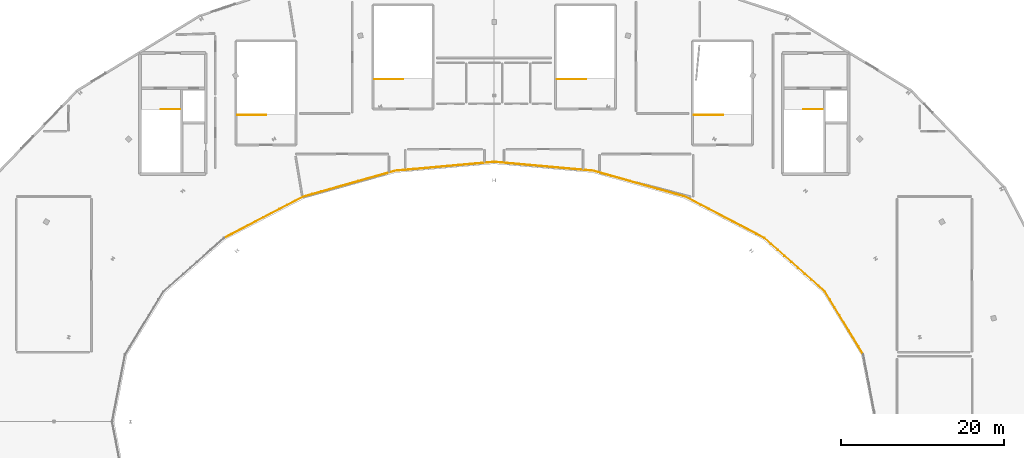
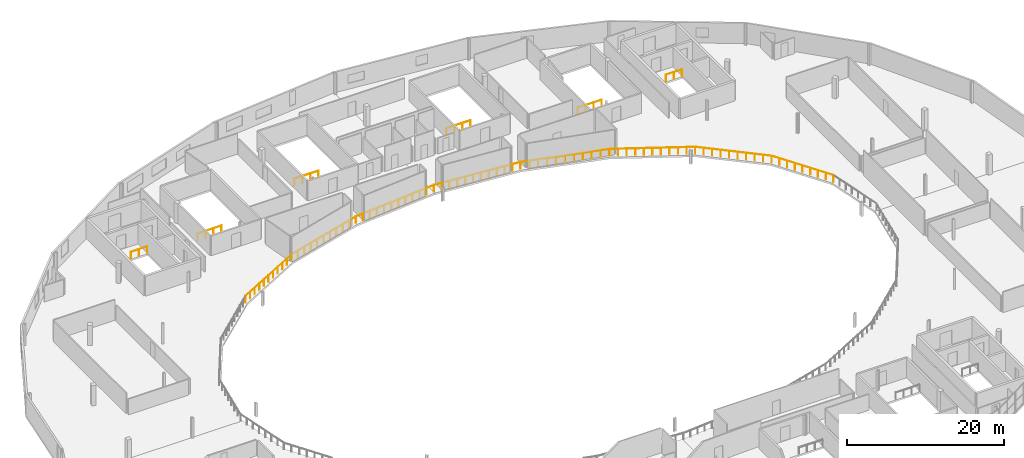
# One storey, part 35 of 35: 14 railings.
"""IFC4 building model written with IfcOpenShell, lengths in metres."""

from ifc_helpers import new_model, si_unit, direction, frame, origin, origin_2d, place, context, subcontext, project, spatial, circle, extrude, material, type_object, element, save


model = new_model("IFC4")

# Units and contexts
model_context = context("Model", 3, precision=1e-05, world=origin(), true_north=direction((0.0, 1.0)))
body_context = subcontext(model_context, "Body", "Model", "MODEL_VIEW")
ifc_project = project(units=[si_unit("LENGTHUNIT", "METRE"), si_unit("AREAUNIT", "SQUARE_METRE"), si_unit("VOLUMEUNIT", "CUBIC_METRE"), si_unit("PLANEANGLEUNIT", "RADIAN"), si_unit("MASSUNIT", "GRAM", prefix="KILO")], contexts=[model_context])

# Site, building, storey
site_placement = place(None, origin())
site = spatial("IfcSite", under=ifc_project, at=site_placement, CompositionType="ELEMENT")
building_placement = place(site_placement, origin())
building = spatial("IfcBuilding", under=site, at=building_placement, Name="Kalgoora Escarpment Arena", CompositionType="ELEMENT")
storey_placement = place(building_placement, frame((0.0, 0.0, 23.39990234375)))
storey = spatial("IfcBuildingStorey", under=building, at=storey_placement, Name="L05", CompositionType="ELEMENT", Elevation=23.39990234375)

# Railings
ifc_material = material(Name="Galvanised & powdercoated tubular steel", Category="steel")
railing_type = type_object("IfcRailingType", Name="RAL-GUARD-1120", PredefinedType="GUARDRAIL", material=ifc_material)
for number, where, name in (
    (1, (53.889892578125, 102.31005859375, 0.0), "ST03 top landing well guardrail"),
    (2, (132.68994140625, 102.31005859375, 0.0), "ST04 top landing well guardrail"),
):
    element("IfcRailing", number, at=place(storey_placement, frame(where)), inside=storey, type_object=railing_type, Name=name, PredefinedType="GUARDRAIL", context=body_context, shape_type="SweptSolid", body=[
        extrude(circle(Radius=0.02392578125, at=origin_2d()), frame((0.0, 0.0, 1.09619140625), z_axis=(-1.0, 0.0, 0.0), x_axis=(0.0, -1.0, 0.0)), (0.0, 0.0, 1.0), 2.3798828125),
        extrude(circle(Radius=0.02099609375, at=origin_2d()), origin(), (0.0, 0.0, 1.0), 1.072021484375),
        extrude(circle(Radius=0.02099609375, at=origin_2d()), frame((-1.18994140625, 0.0, 0.0)), (0.0, 0.0, 1.0), 1.072021484375),
        extrude(circle(Radius=0.02099609375, at=origin_2d()), frame((-2.3798828125, 0.0, 0.0)), (0.0, 0.0, 1.0), 1.072021484375),
    ])
for number, where, name in (
    (3, (60.909912109375, 101.590087890625, 0.0), "ST09 top landing well guardrail"),
    (4, (77.7099609375, 105.989990234375, 0.0), "ST10 top landing well guardrail"),
):
    element("IfcRailing", number, at=place(storey_placement, frame(where)), inside=storey, type_object=railing_type, Name=name, PredefinedType="GUARDRAIL", context=body_context, shape_type="SweptSolid", body=[
        extrude(circle(Radius=0.02392578125, at=origin_2d()), frame((0.0, 0.0, 1.09619140625), z_axis=(1.0, 0.0, 0.0), x_axis=(0.0, 1.0, 0.0)), (0.0, 0.0, 1.0), 3.530029296875),
        extrude(circle(Radius=0.02099609375, at=origin_2d()), origin(), (0.0, 0.0, 1.0), 1.072021484375),
        extrude(circle(Radius=0.02099609375, at=origin_2d()), frame((1.1767578125, 0.0, 0.0)), (0.0, 0.0, 1.0), 1.072021484375),
        extrude(circle(Radius=0.02099609375, at=origin_2d()), frame((2.353271484375, 0.0, 0.0)), (0.0, 0.0, 1.0), 1.072021484375),
        extrude(circle(Radius=0.02099609375, at=origin_2d()), frame((3.530029296875, 0.0, 0.0)), (0.0, 0.0, 1.0), 1.072021484375),
    ])
railing_1_placement = place(storey_placement, frame((100.110107421875, 105.989990234375, 0.0)))
element("IfcRailing", 5, at=railing_1_placement, inside=storey, type_object=railing_type, Name="ST11 top landing well guardrail", PredefinedType="GUARDRAIL", context=body_context, shape_type="SweptSolid", body=[
    extrude(circle(Radius=0.02392578125, at=origin_2d()), frame((0.0, 0.0, 1.09619140625), z_axis=(1.0, 0.0, 0.0), x_axis=(0.0, 1.0, 0.0)), (0.0, 0.0, 1.0), 3.52978515625),
    extrude(circle(Radius=0.02099609375, at=origin_2d()), origin(), (0.0, 0.0, 1.0), 1.072021484375),
    extrude(circle(Radius=0.02099609375, at=origin_2d()), frame((1.176513671875, 0.0, 0.0)), (0.0, 0.0, 1.0), 1.072021484375),
    extrude(circle(Radius=0.02099609375, at=origin_2d()), frame((2.353271484375, 0.0, 0.0)), (0.0, 0.0, 1.0), 1.072021484375),
    extrude(circle(Radius=0.02099609375, at=origin_2d()), frame((3.52978515625, 0.0, 0.0)), (0.0, 0.0, 1.0), 1.072021484375),
])
railing_2_placement = place(storey_placement, frame((116.909912109375, 101.590087890625, 0.0)))
element("IfcRailing", 6, at=railing_2_placement, inside=storey, type_object=railing_type, Name="ST12 top landing well guardrail", PredefinedType="GUARDRAIL", context=body_context, shape_type="SweptSolid", body=[
    extrude(circle(Radius=0.02392578125, at=origin_2d()), frame((0.0, 0.0, 1.09619140625), z_axis=(1.0, 0.0, 0.0), x_axis=(0.0, 1.0, 0.0)), (0.0, 0.0, 1.0), 3.530029296875),
    extrude(circle(Radius=0.02099609375, at=origin_2d()), origin(), (0.0, 0.0, 1.0), 1.072021484375),
    extrude(circle(Radius=0.02099609375, at=origin_2d()), frame((1.1767578125, 0.0, 0.0)), (0.0, 0.0, 1.0), 1.072021484375),
    extrude(circle(Radius=0.02099609375, at=origin_2d()), frame((2.353271484375, 0.0, 0.0)), (0.0, 0.0, 1.0), 1.072021484375),
    extrude(circle(Radius=0.02099609375, at=origin_2d()), frame((3.530029296875, 0.0, 0.0)), (0.0, 0.0, 1.0), 1.072021484375),
])
railing_3_placement = place(storey_placement, frame((137.653564453125, 72.243408203125, 0.0)))
element("IfcRailing", 7, at=railing_3_placement, inside=storey, type_object=railing_type, Name="L05 concourse bowl balustrade 02", PredefinedType="GUARDRAIL", context=body_context, shape_type="SweptSolid", body=[
    extrude(circle(Radius=0.02392578125, at=origin_2d()), frame((0.0, 0.0, 1.09619140625), z_axis=(-0.520303373026, 0.853981498639, 0.0), x_axis=(-0.853981498639, -0.520303373026, 0.0)), (0.0, 0.0, 1.0), 8.9951171875),
    extrude(circle(Radius=0.02099609375, at=origin_2d()), origin(), (0.0, 0.0, 1.0), 1.072021484375),
    extrude(circle(Radius=0.02099609375, at=origin_2d()), frame((-0.5849609375, 0.960205078125, 0.0)), (0.0, 0.0, 1.0), 1.072021484375),
    extrude(circle(Radius=0.02099609375, at=origin_2d()), frame((-1.169921875, 1.92041015625, 0.0)), (0.0, 0.0, 1.0), 1.072021484375),
    extrude(circle(Radius=0.02099609375, at=origin_2d()), frame((-1.755126953125, 2.880615234375, 0.0)), (0.0, 0.0, 1.0), 1.072021484375),
    extrude(circle(Radius=0.02099609375, at=origin_2d()), frame((-2.340087890625, 3.8408203125, 0.0)), (0.0, 0.0, 1.0), 1.072021484375),
    extrude(circle(Radius=0.02099609375, at=origin_2d()), frame((-2.925048828125, 4.801025390625, 0.0)), (0.0, 0.0, 1.0), 1.072021484375),
    extrude(circle(Radius=0.02099609375, at=origin_2d()), frame((-3.51025390625, 5.76123046875, 0.0)), (0.0, 0.0, 1.0), 1.072021484375),
    extrude(circle(Radius=0.02099609375, at=origin_2d()), frame((-4.09521484375, 6.721435546875, 0.0)), (0.0, 0.0, 1.0), 1.072021484375),
    extrude(circle(Radius=0.02099609375, at=origin_2d()), frame((-4.68017578125, 7.681640625, 0.0)), (0.0, 0.0, 1.0), 1.072021484375),
])
railing_4_placement = place(storey_placement, frame((132.973388671875, 79.925048828125, 0.0)))
element("IfcRailing", 8, at=railing_4_placement, inside=storey, type_object=railing_type, Name="L05 concourse bowl balustrade 03", PredefinedType="GUARDRAIL", context=body_context, shape_type="SweptSolid", body=[
    extrude(circle(Radius=0.02392578125, at=origin_2d()), frame((0.0, 0.0, 1.09619140625), z_axis=(-0.748487582417, 0.663148806051, 0.0), x_axis=(-0.663148806051, -0.748487582417, 0.0)), (0.0, 0.0, 1.0), 9.947021484375),
    extrude(circle(Radius=0.02099609375, at=origin_2d()), origin(), (0.0, 0.0, 1.0), 1.072021484375),
    extrude(circle(Radius=0.02099609375, at=origin_2d()), frame((-0.8271484375, 0.73291015625, 0.0)), (0.0, 0.0, 1.0), 1.072021484375),
    extrude(circle(Radius=0.02099609375, at=origin_2d()), frame((-1.654541015625, 1.4658203125, 0.0)), (0.0, 0.0, 1.0), 1.072021484375),
    extrude(circle(Radius=0.02099609375, at=origin_2d()), frame((-2.481689453125, 2.19873046875, 0.0)), (0.0, 0.0, 1.0), 1.072021484375),
    extrude(circle(Radius=0.02099609375, at=origin_2d()), frame((-3.30908203125, 2.931640625, 0.0)), (0.0, 0.0, 1.0), 1.072021484375),
    extrude(circle(Radius=0.02099609375, at=origin_2d()), frame((-4.13623046875, 3.664794921875, 0.0)), (0.0, 0.0, 1.0), 1.072021484375),
    extrude(circle(Radius=0.02099609375, at=origin_2d()), frame((-4.963623046875, 4.397705078125, 0.0)), (0.0, 0.0, 1.0), 1.072021484375),
    extrude(circle(Radius=0.02099609375, at=origin_2d()), frame((-5.790771484375, 5.130615234375, 0.0)), (0.0, 0.0, 1.0), 1.072021484375),
    extrude(circle(Radius=0.02099609375, at=origin_2d()), frame((-6.6181640625, 5.863525390625, 0.0)), (0.0, 0.0, 1.0), 1.072021484375),
    extrude(circle(Radius=0.02099609375, at=origin_2d()), frame((-7.4453125, 6.596435546875, 0.0)), (0.0, 0.0, 1.0), 1.072021484375),
])
railing_5_placement = place(storey_placement, frame((125.528076171875, 86.521484375, 0.0)))
element("IfcRailing", 9, at=railing_5_placement, inside=storey, type_object=railing_type, Name="L05 concourse bowl balustrade 04", PredefinedType="GUARDRAIL", context=body_context, shape_type="SweptSolid", body=[
    extrude(circle(Radius=0.02392578125, at=origin_2d()), frame((0.0, 0.0, 1.09619140625), z_axis=(-0.886621438299, 0.462495865007, 0.0), x_axis=(-0.462495865007, -0.886621438299, 0.0)), (0.0, 0.0, 1.0), 10.94384765625),
    extrude(circle(Radius=0.02099609375, at=origin_2d()), origin(), (0.0, 0.0, 1.0), 1.072021484375),
    extrude(circle(Radius=0.02099609375, at=origin_2d()), frame((-0.97021484375, 0.506103515625, 0.0)), (0.0, 0.0, 1.0), 1.072021484375),
    extrude(circle(Radius=0.02099609375, at=origin_2d()), frame((-1.940673828125, 1.01220703125, 0.0)), (0.0, 0.0, 1.0), 1.072021484375),
    extrude(circle(Radius=0.02099609375, at=origin_2d()), frame((-2.910888671875, 1.5185546875, 0.0)), (0.0, 0.0, 1.0), 1.072021484375),
    extrude(circle(Radius=0.02099609375, at=origin_2d()), frame((-3.88134765625, 2.024658203125, 0.0)), (0.0, 0.0, 1.0), 1.072021484375),
    extrude(circle(Radius=0.02099609375, at=origin_2d()), frame((-4.8515625, 2.53076171875, 0.0)), (0.0, 0.0, 1.0), 1.072021484375),
    extrude(circle(Radius=0.02099609375, at=origin_2d()), frame((-5.82177734375, 3.036865234375, 0.0)), (0.0, 0.0, 1.0), 1.072021484375),
    extrude(circle(Radius=0.02099609375, at=origin_2d()), frame((-6.792236328125, 3.54296875, 0.0)), (0.0, 0.0, 1.0), 1.072021484375),
    extrude(circle(Radius=0.02099609375, at=origin_2d()), frame((-7.762451171875, 4.04931640625, 0.0)), (0.0, 0.0, 1.0), 1.072021484375),
    extrude(circle(Radius=0.02099609375, at=origin_2d()), frame((-8.73291015625, 4.555419921875, 0.0)), (0.0, 0.0, 1.0), 1.072021484375),
    extrude(circle(Radius=0.02099609375, at=origin_2d()), frame((-9.703125, 5.0615234375, 0.0)), (0.0, 0.0, 1.0), 1.072021484375),
])
railing_6_placement = place(storey_placement, frame((115.824951171875, 91.5830078125, 0.0)))
element("IfcRailing", 10, at=railing_6_placement, inside=storey, type_object=railing_type, Name="L05 concourse bowl balustrade 05", PredefinedType="GUARDRAIL", context=body_context, shape_type="SweptSolid", body=[
    extrude(circle(Radius=0.02392578125, at=origin_2d()), frame((0.0, 0.0, 1.09619140625), z_axis=(-0.962568569832, 0.271038278425, 0.0), x_axis=(-0.271038278425, -0.962568569832, 0.0)), (0.0, 0.0, 1.0), 11.73876953125),
    extrude(circle(Radius=0.02099609375, at=origin_2d()), origin(), (0.0, 0.0, 1.0), 1.072021484375),
    extrude(circle(Radius=0.02099609375, at=origin_2d()), frame((-1.1298828125, 0.318115234375, 0.0)), (0.0, 0.0, 1.0), 1.072021484375),
    extrude(circle(Radius=0.02099609375, at=origin_2d()), frame((-2.259765625, 0.63623046875, 0.0)), (0.0, 0.0, 1.0), 1.072021484375),
    extrude(circle(Radius=0.02099609375, at=origin_2d()), frame((-3.389892578125, 0.95458984375, 0.0)), (0.0, 0.0, 1.0), 1.072021484375),
    extrude(circle(Radius=0.02099609375, at=origin_2d()), frame((-4.519775390625, 1.272705078125, 0.0)), (0.0, 0.0, 1.0), 1.072021484375),
    extrude(circle(Radius=0.02099609375, at=origin_2d()), frame((-5.649658203125, 1.5908203125, 0.0)), (0.0, 0.0, 1.0), 1.072021484375),
    extrude(circle(Radius=0.02099609375, at=origin_2d()), frame((-6.779541015625, 1.908935546875, 0.0)), (0.0, 0.0, 1.0), 1.072021484375),
    extrude(circle(Radius=0.02099609375, at=origin_2d()), frame((-7.909423828125, 2.22705078125, 0.0)), (0.0, 0.0, 1.0), 1.072021484375),
    extrude(circle(Radius=0.02099609375, at=origin_2d()), frame((-9.03955078125, 2.54541015625, 0.0)), (0.0, 0.0, 1.0), 1.072021484375),
    extrude(circle(Radius=0.02099609375, at=origin_2d()), frame((-10.16943359375, 2.863525390625, 0.0)), (0.0, 0.0, 1.0), 1.072021484375),
    extrude(circle(Radius=0.02099609375, at=origin_2d()), frame((-11.29931640625, 3.181640625, 0.0)), (0.0, 0.0, 1.0), 1.072021484375),
])
railing_7_placement = place(storey_placement, frame((104.525634765625, 94.7646484375, 0.0)))
element("IfcRailing", 11, at=railing_7_placement, inside=storey, type_object=railing_type, Name="L05 concourse bowl balustrade 06", PredefinedType="GUARDRAIL", context=body_context, shape_type="SweptSolid", body=[
    extrude(circle(Radius=0.02392578125, at=origin_2d()), frame((0.0, 0.0, 1.09619140625), z_axis=(-0.996017346232, 0.089159665801, 0.0), x_axis=(-0.089159665801, -0.996017346232, 0.0)), (0.0, 0.0, 1.0), 12.17431640625),
    extrude(circle(Radius=0.02099609375, at=origin_2d()), origin(), (0.0, 0.0, 1.0), 1.072021484375),
    extrude(circle(Radius=0.02099609375, at=origin_2d()), frame((-1.102294921875, 0.0986328125, 0.0)), (0.0, 0.0, 1.0), 1.072021484375),
    extrude(circle(Radius=0.02099609375, at=origin_2d()), frame((-2.20458984375, 0.197265625, 0.0)), (0.0, 0.0, 1.0), 1.072021484375),
    extrude(circle(Radius=0.02099609375, at=origin_2d()), frame((-3.30712890625, 0.296142578125, 0.0)), (0.0, 0.0, 1.0), 1.072021484375),
    extrude(circle(Radius=0.02099609375, at=origin_2d()), frame((-4.409423828125, 0.394775390625, 0.0)), (0.0, 0.0, 1.0), 1.072021484375),
    extrude(circle(Radius=0.02099609375, at=origin_2d()), frame((-5.51171875, 0.493408203125, 0.0)), (0.0, 0.0, 1.0), 1.072021484375),
    extrude(circle(Radius=0.02099609375, at=origin_2d()), frame((-6.614013671875, 0.592041015625, 0.0)), (0.0, 0.0, 1.0), 1.072021484375),
    extrude(circle(Radius=0.02099609375, at=origin_2d()), frame((-7.71630859375, 0.690673828125, 0.0)), (0.0, 0.0, 1.0), 1.072021484375),
    extrude(circle(Radius=0.02099609375, at=origin_2d()), frame((-8.818603515625, 0.789306640625, 0.0)), (0.0, 0.0, 1.0), 1.072021484375),
    extrude(circle(Radius=0.02099609375, at=origin_2d()), frame((-9.921142578125, 0.88818359375, 0.0)), (0.0, 0.0, 1.0), 1.072021484375),
    extrude(circle(Radius=0.02099609375, at=origin_2d()), frame((-11.0234375, 0.98681640625, 0.0)), (0.0, 0.0, 1.0), 1.072021484375),
    extrude(circle(Radius=0.02099609375, at=origin_2d()), frame((-12.125732421875, 1.08544921875, 0.0)), (0.0, 0.0, 1.0), 1.072021484375),
])
railing_8_placement = place(storey_placement, frame((92.39990234375, 95.85009765625, 0.0)))
element("IfcRailing", 12, at=railing_8_placement, inside=storey, type_object=railing_type, Name="L05 concourse bowl balustrade 07", PredefinedType="GUARDRAIL", context=body_context, shape_type="SweptSolid", body=[
    extrude(circle(Radius=0.02392578125, at=origin_2d()), frame((0.0, 0.0, 1.09619140625), z_axis=(-0.996017186809, -0.089161446715, 0.0), x_axis=(0.089161446715, -0.996017186809, 0.0)), (0.0, 0.0, 1.0), 12.174072265625),
    extrude(circle(Radius=0.02099609375, at=origin_2d()), origin(), (0.0, 0.0, 1.0), 1.072021484375),
    extrude(circle(Radius=0.02099609375, at=origin_2d()), frame((-1.102294921875, -0.0986328125, 0.0)), (0.0, 0.0, 1.0), 1.072021484375),
    extrude(circle(Radius=0.02099609375, at=origin_2d()), frame((-2.20458984375, -0.197265625, 0.0)), (0.0, 0.0, 1.0), 1.072021484375),
    extrude(circle(Radius=0.02099609375, at=origin_2d()), frame((-3.306884765625, -0.296142578125, 0.0)), (0.0, 0.0, 1.0), 1.072021484375),
    extrude(circle(Radius=0.02099609375, at=origin_2d()), frame((-4.4091796875, -0.394775390625, 0.0)), (0.0, 0.0, 1.0), 1.072021484375),
    extrude(circle(Radius=0.02099609375, at=origin_2d()), frame((-5.511474609375, -0.493408203125, 0.0)), (0.0, 0.0, 1.0), 1.072021484375),
    extrude(circle(Radius=0.02099609375, at=origin_2d()), frame((-6.614013671875, -0.592041015625, 0.0)), (0.0, 0.0, 1.0), 1.072021484375),
    extrude(circle(Radius=0.02099609375, at=origin_2d()), frame((-7.71630859375, -0.690673828125, 0.0)), (0.0, 0.0, 1.0), 1.072021484375),
    extrude(circle(Radius=0.02099609375, at=origin_2d()), frame((-8.818603515625, -0.789306640625, 0.0)), (0.0, 0.0, 1.0), 1.072021484375),
    extrude(circle(Radius=0.02099609375, at=origin_2d()), frame((-9.9208984375, -0.88818359375, 0.0)), (0.0, 0.0, 1.0), 1.072021484375),
    extrude(circle(Radius=0.02099609375, at=origin_2d()), frame((-11.023193359375, -0.98681640625, 0.0)), (0.0, 0.0, 1.0), 1.072021484375),
    extrude(circle(Radius=0.02099609375, at=origin_2d()), frame((-12.12548828125, -1.08544921875, 0.0)), (0.0, 0.0, 1.0), 1.072021484375),
])
railing_9_placement = place(storey_placement, frame((80.2744140625, 94.7646484375, 0.0)))
element("IfcRailing", 13, at=railing_9_placement, inside=storey, type_object=railing_type, Name="L05 concourse bowl balustrade 08", PredefinedType="GUARDRAIL", context=body_context, shape_type="SweptSolid", body=[
    extrude(circle(Radius=0.02392578125, at=origin_2d()), frame((0.0, 0.0, 1.09619140625), z_axis=(-0.962568569832, -0.271038278425, 0.0), x_axis=(0.271038278425, -0.962568569832, 0.0)), (0.0, 0.0, 1.0), 11.73876953125),
    extrude(circle(Radius=0.02099609375, at=origin_2d()), origin(), (0.0, 0.0, 1.0), 1.072021484375),
    extrude(circle(Radius=0.02099609375, at=origin_2d()), frame((-1.1298828125, -0.318115234375, 0.0)), (0.0, 0.0, 1.0), 1.072021484375),
    extrude(circle(Radius=0.02099609375, at=origin_2d()), frame((-2.259765625, -0.63623046875, 0.0)), (0.0, 0.0, 1.0), 1.072021484375),
    extrude(circle(Radius=0.02099609375, at=origin_2d()), frame((-3.389892578125, -0.95458984375, 0.0)), (0.0, 0.0, 1.0), 1.072021484375),
    extrude(circle(Radius=0.02099609375, at=origin_2d()), frame((-4.519775390625, -1.272705078125, 0.0)), (0.0, 0.0, 1.0), 1.072021484375),
    extrude(circle(Radius=0.02099609375, at=origin_2d()), frame((-5.649658203125, -1.5908203125, 0.0)), (0.0, 0.0, 1.0), 1.072021484375),
    extrude(circle(Radius=0.02099609375, at=origin_2d()), frame((-6.779541015625, -1.908935546875, 0.0)), (0.0, 0.0, 1.0), 1.072021484375),
    extrude(circle(Radius=0.02099609375, at=origin_2d()), frame((-7.909423828125, -2.22705078125, 0.0)), (0.0, 0.0, 1.0), 1.072021484375),
    extrude(circle(Radius=0.02099609375, at=origin_2d()), frame((-9.03955078125, -2.54541015625, 0.0)), (0.0, 0.0, 1.0), 1.072021484375),
    extrude(circle(Radius=0.02099609375, at=origin_2d()), frame((-10.16943359375, -2.863525390625, 0.0)), (0.0, 0.0, 1.0), 1.072021484375),
    extrude(circle(Radius=0.02099609375, at=origin_2d()), frame((-11.29931640625, -3.181640625, 0.0)), (0.0, 0.0, 1.0), 1.072021484375),
])
railing_10_placement = place(storey_placement, frame((68.97509765625, 91.5830078125, 0.0)))
element("IfcRailing", 14, at=railing_10_placement, inside=storey, type_object=railing_type, Name="L05 concourse bowl balustrade 09", PredefinedType="GUARDRAIL", context=body_context, shape_type="SweptSolid", body=[
    extrude(circle(Radius=0.02392578125, at=origin_2d()), frame((0.0, 0.0, 1.09619140625), z_axis=(-0.886621438299, -0.462495865007, 0.0), x_axis=(0.462495865007, -0.886621438299, 0.0)), (0.0, 0.0, 1.0), 10.94384765625),
    extrude(circle(Radius=0.02099609375, at=origin_2d()), origin(), (0.0, 0.0, 1.0), 1.072021484375),
    extrude(circle(Radius=0.02099609375, at=origin_2d()), frame((-0.97021484375, -0.506103515625, 0.0)), (0.0, 0.0, 1.0), 1.072021484375),
    extrude(circle(Radius=0.02099609375, at=origin_2d()), frame((-1.940673828125, -1.01220703125, 0.0)), (0.0, 0.0, 1.0), 1.072021484375),
    extrude(circle(Radius=0.02099609375, at=origin_2d()), frame((-2.910888671875, -1.5185546875, 0.0)), (0.0, 0.0, 1.0), 1.072021484375),
    extrude(circle(Radius=0.02099609375, at=origin_2d()), frame((-3.88134765625, -2.024658203125, 0.0)), (0.0, 0.0, 1.0), 1.072021484375),
    extrude(circle(Radius=0.02099609375, at=origin_2d()), frame((-4.8515625, -2.53076171875, 0.0)), (0.0, 0.0, 1.0), 1.072021484375),
    extrude(circle(Radius=0.02099609375, at=origin_2d()), frame((-5.82177734375, -3.036865234375, 0.0)), (0.0, 0.0, 1.0), 1.072021484375),
    extrude(circle(Radius=0.02099609375, at=origin_2d()), frame((-6.792236328125, -3.54296875, 0.0)), (0.0, 0.0, 1.0), 1.072021484375),
    extrude(circle(Radius=0.02099609375, at=origin_2d()), frame((-7.762451171875, -4.04931640625, 0.0)), (0.0, 0.0, 1.0), 1.072021484375),
    extrude(circle(Radius=0.02099609375, at=origin_2d()), frame((-8.73291015625, -4.555419921875, 0.0)), (0.0, 0.0, 1.0), 1.072021484375),
    extrude(circle(Radius=0.02099609375, at=origin_2d()), frame((-9.703125, -5.0615234375, 0.0)), (0.0, 0.0, 1.0), 1.072021484375),
])

save(model, "model.ifc")
